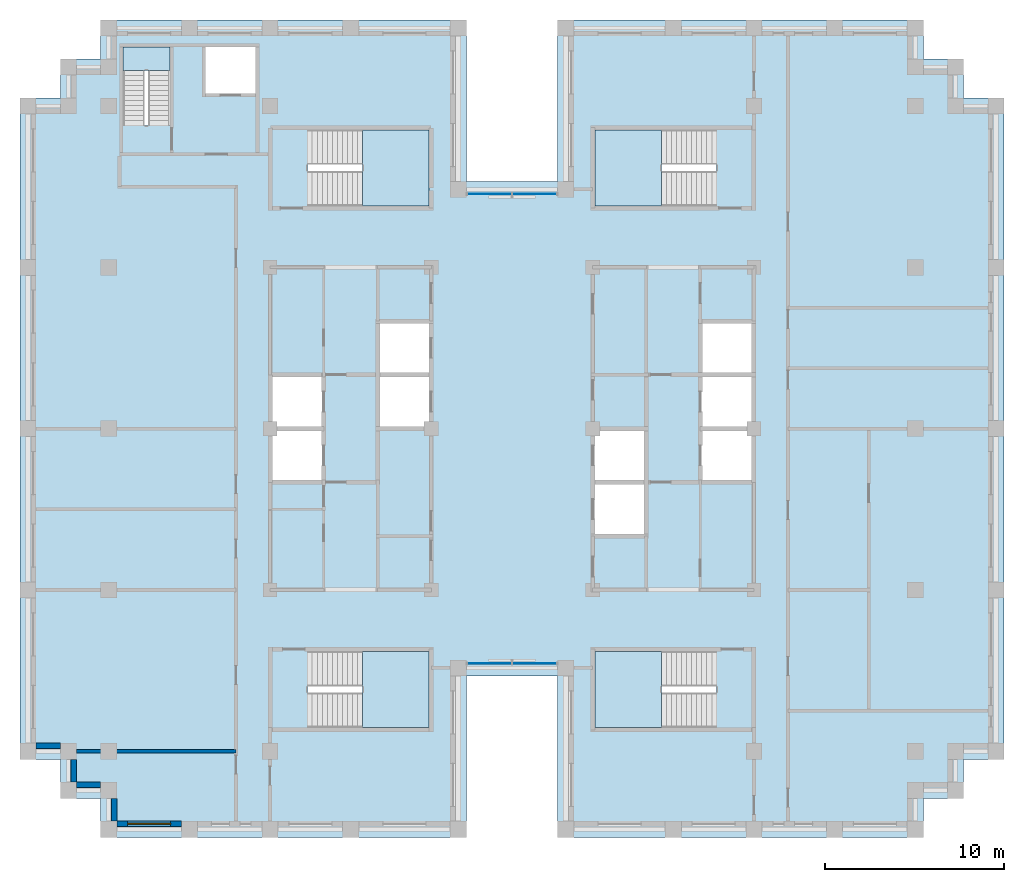
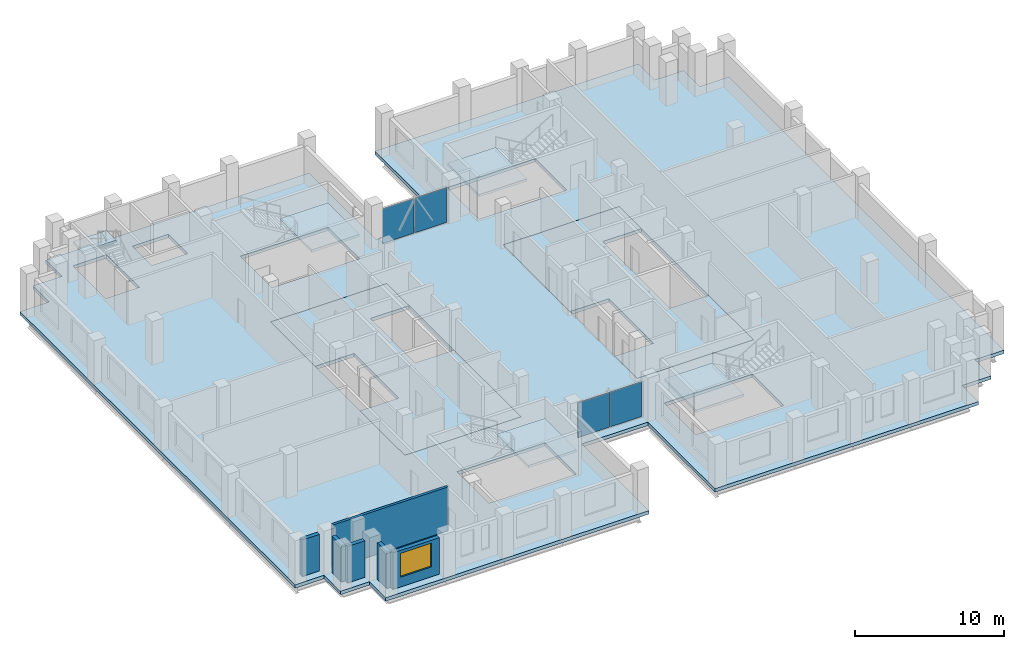
# One storey, part 5 of 13: 8 slabs, 6 walls, 4 plates, 1 window, 1 opening, 7 elements without a shape of their own.
"""IFC4 building model written with IfcOpenShell, lengths in metres."""

from ifc_helpers import new_model, si_unit, direction, frame, frame_2d, origin, origin_2d, place, context, subcontext, project, spatial, polyline, rectangle, outline, extrude, material, layer, layer_set, type_object, element, fill, aggregate, save


model = new_model("IFC4")

# Units and contexts
model_context = context("Model", 3, precision=1e-05, world=origin(), true_north=direction((0.0, 1.0)))
body_context = subcontext(model_context, "Body", "Model", "MODEL_VIEW")
ifc_project = project(units=[si_unit("LENGTHUNIT", "METRE"), si_unit("AREAUNIT", "SQUARE_METRE"), si_unit("VOLUMEUNIT", "CUBIC_METRE"), si_unit("PLANEANGLEUNIT", "RADIAN"), si_unit("MASSUNIT", "GRAM", prefix="KILO")], contexts=[model_context])

# Site, building, storey
site_placement = place(None, origin())
site = spatial("IfcSite", under=ifc_project, at=site_placement, CompositionType="ELEMENT")
building_placement = place(site_placement, origin())
building = spatial("IfcBuilding", under=site, at=building_placement, Name="Corbelhall Arena Tower", CompositionType="ELEMENT")
storey_placement = place(building_placement, frame((0.0, 0.0, 290.0)))
storey = spatial("IfcBuildingStorey", under=building, at=storey_placement, Name="L63", CompositionType="ELEMENT", Elevation=290.0)

# Curtain wall, plates
ifc_material_1 = material(Name="Aluminium black anodised", Category="aluminium")
ifc_layer_1 = layer(ifc_material_1, 0.199951171875)
ifc_layer_set_1 = layer_set([ifc_layer_1], Name="EV-CW1 Slot back wall")
curtain_wall_type = type_object("IfcCurtainWallType", Name="EV-CW1 Slot back wall", PredefinedType="NOTDEFINED", material=ifc_layer_set_1)
curtain_wall_1_placement = place(storey_placement, origin())
curtain_wall_1 = element("IfcCurtainWall", 1, at=curtain_wall_1_placement, inside=storey, type_object=curtain_wall_type, Name="Curtain wall CW1", PredefinedType="NOTDEFINED")
ifc_material_2 = material(Name="Glass dark tinted laminated", Category="glass")
ifc_layer_2 = layer(ifc_material_2, 0.028076171875)
ifc_layer_set_2 = layer_set([ifc_layer_2], Name="EV-CW1-PANEL")
plate_type = type_object("IfcPlateType", Name="EV-CW1-PANEL", PredefinedType="CURTAIN_PANEL", material=ifc_layer_set_2)
plate_1_placement = place(storey_placement, frame((-1.25634765625, -13.10009765625, 0.0751953125), z_axis=(0.0, 0.0, 1.0), x_axis=(1.0, 0.0, 0.0)))
plate_1 = element("IfcPlate", 2, at=plate_1_placement, type_object=plate_type, Name="CW1 panel 1.1", PredefinedType="CURTAIN_PANEL", context=body_context, shape_type="SweptSolid", body=[
    extrude(rectangle(XDim=2.4375, YDim=0.028076171875, at=origin_2d()), origin(), (0.0, 0.0, 1.0), 2.840087890625),
])
plate_2_placement = place(storey_placement, frame((1.25634765625, -13.10009765625, 0.0751953125), z_axis=(0.0, 0.0, 1.0), x_axis=(1.0, 0.0, 0.0)))
plate_2 = element("IfcPlate", 3, at=plate_2_placement, type_object=plate_type, Name="CW1 panel 2.1", PredefinedType="CURTAIN_PANEL", context=body_context, shape_type="SweptSolid", body=[
    extrude(rectangle(XDim=2.4375, YDim=0.028076171875, at=origin_2d()), origin(), (0.0, 0.0, 1.0), 2.840087890625),
])
aggregate(curtain_wall_1, [plate_1, plate_2])

curtain_wall_2_placement = place(storey_placement, origin())
curtain_wall_2 = element("IfcCurtainWall", 4, at=curtain_wall_2_placement, inside=storey, type_object=curtain_wall_type, Name="Curtain wall CW1", PredefinedType="NOTDEFINED")
plate_3_placement = place(storey_placement, frame((1.25634765625, 13.10009765625, 0.0751953125), z_axis=(0.0, 0.0, 1.0), x_axis=(-1.0, 0.0, 0.0)))
plate_3 = element("IfcPlate", 5, at=plate_3_placement, type_object=plate_type, Name="CW1 panel 1.1", PredefinedType="CURTAIN_PANEL", context=body_context, shape_type="SweptSolid", body=[
    extrude(rectangle(XDim=2.4375, YDim=0.028076171875, at=origin_2d()), origin(), (0.0, 0.0, 1.0), 2.840087890625),
])
plate_4_placement = place(storey_placement, frame((-1.25634765625, 13.10009765625, 0.0751953125), z_axis=(0.0, 0.0, 1.0), x_axis=(-1.0, 0.0, 0.0)))
plate_4 = element("IfcPlate", 6, at=plate_4_placement, type_object=plate_type, Name="CW1 panel 2.1", PredefinedType="CURTAIN_PANEL", context=body_context, shape_type="SweptSolid", body=[
    extrude(rectangle(XDim=2.4375, YDim=0.028076171875, at=origin_2d()), origin(), (0.0, 0.0, 1.0), 2.840087890625),
])
aggregate(curtain_wall_2, [plate_3, plate_4])

# Slabs
ifc_material_3 = material(Name="Concrete C40/50", Category="concrete")
ifc_layer_3 = layer(ifc_material_3, 0.300048828125)
ifc_layer_set_3 = layer_set([ifc_layer_3], Name="IN-SL-CORE")
slab_type_1 = type_object("IfcSlabType", Name="IN-SL-CORE", PredefinedType="FLOOR", material=ifc_layer_set_3)
slab_1_placement = place(storey_placement, frame((0.0, 0.0, -0.280029296875)))
element("IfcSlab", 7, at=slab_1_placement, inside=storey, type_object=slab_type_1, Name="Core floor W", PredefinedType="FLOOR", context=body_context, shape_type="SweptSolid", body=[
    extrude(outline(polyline([(-10.5, -3.0), (-13.5, -3.0), (-13.5, -9.0), (-4.5, -9.0), (-4.5, 0.0), (-7.5, 0.0), (-7.5, 3.0), (-7.5, 6.0), (-4.5, 6.0), (-4.5, 9.0), (-13.5, 9.0), (-13.5, 3.0), (-10.5, 3.0), (-10.5, 0.0), (-10.5, -3.0)])), origin(), (0.0, 0.0, 1.0), 0.280029296875),
])
slab_2_placement = place(storey_placement, frame((0.0, 0.0, -0.280029296875)))
element("IfcSlab", 8, at=slab_2_placement, inside=storey, type_object=slab_type_1, Name="Core floor E", PredefinedType="FLOOR", context=body_context, shape_type="SweptSolid", body=[
    extrude(outline(polyline([(13.5, -3.0), (10.5, -3.0), (10.5, 0.0), (10.5, 3.0), (10.5, 6.0), (13.5, 6.0), (13.5, 9.0), (4.5, 9.0), (4.5, 0.0), (7.5, 0.0), (7.5, -3.0), (7.5, -6.0), (4.5, -6.0), (4.5, -9.0), (13.5, -9.0), (13.5, -3.0)])), origin(), (0.0, 0.0, 1.0), 0.280029296875),
])

# Stair, slab
stair_type = type_object("IfcStairType", Name="IN-ST-TOWER", PredefinedType="HALF_TURN_STAIR", material=ifc_material_3)
stair_1_placement = place(storey_placement, origin())
stair_1 = element("IfcStair", 9, at=stair_1_placement, inside=storey, type_object=stair_type, Name="L63 Exit stair ST1", PredefinedType="HALF_TURN_STAIR")
ifc_layer_4 = layer(ifc_material_3, 0.199951171875)
ifc_layer_set_4 = layer_set([ifc_layer_4], Name="IN-SL-LANDING")
slab_type_2 = type_object("IfcSlabType", Name="IN-SL-LANDING", PredefinedType="LANDING", material=ifc_layer_set_4)
slab_3_placement = place(storey_placement, frame((0.0, 0.0, 1.800048828125)))
slab_3 = element("IfcSlab", 10, at=slab_3_placement, type_object=slab_type_2, Name="ST1 landing 1", PredefinedType="LANDING", context=body_context, shape_type="SweptSolid", body=[
    extrude(outline(polyline([(-8.344970703125, 12.425048828125), (-4.625, 12.425048828125), (-4.625, 16.675048828125), (-8.344970703125, 16.675048828125), (-8.344970703125, 12.425048828125)])), origin(), (0.0, 0.0, 1.0), 0.199951171875),
])
aggregate(stair_1, [slab_3])

stair_2_placement = place(storey_placement, origin())
stair_2 = element("IfcStair", 11, at=stair_2_placement, inside=storey, type_object=stair_type, Name="L63 Exit stair ST2", PredefinedType="HALF_TURN_STAIR")
slab_4_placement = place(storey_placement, frame((0.0, 0.0, 1.800048828125)))
slab_4 = element("IfcSlab", 12, at=slab_4_placement, type_object=slab_type_2, Name="ST2 landing 1", PredefinedType="LANDING", context=body_context, shape_type="SweptSolid", body=[
    extrude(outline(polyline([(-8.344970703125, -16.675048828125), (-4.625, -16.675048828125), (-4.625, -12.425048828125), (-8.344970703125, -12.425048828125), (-8.344970703125, -16.675048828125)])), origin(), (0.0, 0.0, 1.0), 0.199951171875),
])
aggregate(stair_2, [slab_4])

stair_3_placement = place(storey_placement, origin())
stair_3 = element("IfcStair", 13, at=stair_3_placement, inside=storey, type_object=stair_type, Name="L63 Exit stair ST3", PredefinedType="HALF_TURN_STAIR")
slab_5_placement = place(storey_placement, frame((0.0, 0.0, 1.800048828125)))
slab_5 = element("IfcSlab", 14, at=slab_5_placement, type_object=slab_type_2, Name="ST3 landing 1", PredefinedType="LANDING", context=body_context, shape_type="SweptSolid", body=[
    extrude(outline(polyline([(8.344970703125, 16.675048828125), (4.625, 16.675048828125), (4.625, 12.425048828125), (8.344970703125, 12.425048828125), (8.344970703125, 16.675048828125)])), origin(), (0.0, 0.0, 1.0), 0.199951171875),
])
aggregate(stair_3, [slab_5])

stair_4_placement = place(storey_placement, origin())
stair_4 = element("IfcStair", 15, at=stair_4_placement, inside=storey, type_object=stair_type, Name="L63 Exit stair ST4", PredefinedType="HALF_TURN_STAIR")
slab_6_placement = place(storey_placement, frame((0.0, 0.0, 1.800048828125)))
slab_6 = element("IfcSlab", 16, at=slab_6_placement, type_object=slab_type_2, Name="ST4 landing 1", PredefinedType="LANDING", context=body_context, shape_type="SweptSolid", body=[
    extrude(outline(polyline([(8.344970703125, -12.425048828125), (4.625, -12.425048828125), (4.625, -16.675048828125), (8.344970703125, -16.675048828125), (8.344970703125, -12.425048828125)])), origin(), (0.0, 0.0, 1.0), 0.199951171875),
])
aggregate(stair_4, [slab_6])

stair_5_placement = place(storey_placement, origin())
stair_5 = element("IfcStair", 17, at=stair_5_placement, inside=storey, type_object=stair_type, Name="L63 Exit stair ST5", PredefinedType="HALF_TURN_STAIR")
slab_7_placement = place(storey_placement, frame((0.0, 0.0, 1.800048828125)))
slab_7 = element("IfcSlab", 18, at=slab_7_placement, type_object=slab_type_2, Name="ST5 landing 1", PredefinedType="LANDING", context=body_context, shape_type="SweptSolid", body=[
    extrude(outline(polyline([(-19.094970703125, 19.97998046875), (-19.094970703125, 21.300048828125), (-21.695068359375, 21.300048828125), (-21.695068359375, 19.97998046875), (-19.094970703125, 19.97998046875)])), origin(), (0.0, 0.0, 1.0), 0.199951171875),
])
aggregate(stair_5, [slab_7])

# Slab
ifc_layer_5 = layer(ifc_material_3, 0.280029296875)
ifc_layer_set_5 = layer_set([ifc_layer_5], Name="ST-SLAB-FLOOR-280")
slab_type_3 = type_object("IfcSlabType", Name="ST-SLAB-FLOOR-280", PredefinedType="FLOOR", material=ifc_layer_set_5)
slab_8_placement = place(storey_placement, frame((0.0, 0.0, -0.280029296875)))
element("IfcSlab", 19, at=slab_8_placement, inside=storey, type_object=slab_type_3, Name="Floor slab L63 1", PredefinedType="FLOOR", context=body_context, shape_type="SweptSolid", body=[
    extrude(outline(polyline([(22.949951171875, 22.800048828125), (2.550048828125, 22.800048828125), (2.550048828125, 13.800048828125), (-2.550048828125, 13.800048828125), (-2.550048828125, 22.800048828125), (-22.949951171875, 22.800048828125), (-22.949951171875, 20.625), (-25.199951171875, 20.625), (-25.199951171875, 18.449951171875), (-27.449951171875, 18.449951171875), (-27.449951171875, -18.449951171875), (-25.199951171875, -18.449951171875), (-25.199951171875, -20.625), (-22.949951171875, -20.625), (-22.949951171875, -22.800048828125), (-2.550048828125, -22.800048828125), (-2.550048828125, -13.800048828125), (2.550048828125, -13.800048828125), (2.550048828125, -22.800048828125), (22.949951171875, -22.800048828125), (22.949951171875, -20.625), (25.199951171875, -20.625), (25.199951171875, -18.449951171875), (27.449951171875, -18.449951171875), (27.449951171875, 18.449951171875), (25.199951171875, 18.449951171875), (25.199951171875, 20.625), (22.949951171875, 20.625), (22.949951171875, 22.800048828125)]), holes=[polyline([(-13.5, 9.0), (-13.5, -9.0), (-4.5, -9.0), (-4.5, 9.0), (-13.5, 9.0)]), polyline([(4.5, 9.0), (4.5, -9.0), (13.5, -9.0), (13.5, 9.0), (4.5, 9.0)]), polyline([(-4.625, 16.675048828125), (-11.422119140625, 16.675048828125), (-11.422119140625, 12.425048828125), (-4.625, 12.425048828125), (-4.625, 16.675048828125)]), polyline([(-4.625, -16.675048828125), (-4.625, -12.425048828125), (-11.422119140625, -12.425048828125), (-11.422119140625, -16.675048828125), (-4.625, -16.675048828125)]), polyline([(11.422119140625, 16.675048828125), (4.625, 16.675048828125), (4.625, 12.425048828125), (11.422119140625, 12.425048828125), (11.422119140625, 16.675048828125)]), polyline([(11.422119140625, -16.675048828125), (11.422119140625, -12.425048828125), (4.625, -12.425048828125), (4.625, -16.675048828125), (11.422119140625, -16.675048828125)]), polyline([(-21.695068359375, 21.300048828125), (-21.695068359375, 16.903076171875), (-19.094970703125, 16.903076171875), (-19.094970703125, 21.300048828125), (-21.695068359375, 21.300048828125)]), polyline([(-14.300048828125, 21.300048828125), (-17.10009765625, 21.300048828125), (-17.10009765625, 18.699951171875), (-14.300048828125, 18.699951171875), (-14.300048828125, 21.300048828125)])]), origin(), (0.0, 0.0, 1.0), 0.280029296875),
])

# Walls
ifc_material_4 = material(Name="Precast concrete C40/50 with granite facing", Category="masonry")
ifc_layer_6 = layer(ifc_material_4, 0.300048828125)
ifc_layer_set_6 = layer_set([ifc_layer_6], Name="EV-IW1 Infill panel 300")
wall_type_1 = type_object("IfcWallType", Name="EV-IW1 Infill panel 300", PredefinedType="SOLIDWALL", material=ifc_layer_set_6)
wall_1_placement = place(storey_placement, frame((-26.550048828125, -17.699951171875, 0.0), z_axis=(0.0, 0.0, 1.0), x_axis=(1.0, 0.0, 0.0)))
element("IfcWall", 20, at=wall_1_placement, inside=storey, type_object=wall_type_1, Name="Infill panel IW1", PredefinedType="SOLIDWALL", context=body_context, shape_type="SweptSolid", body=[
    extrude(rectangle(XDim=1.35009765625, YDim=0.300048828125, at=frame_2d((0.675048828125, 0.0))), origin(), (0.0, 0.0, 1.0), 2.989990234375),
])
wall_2_placement = place(storey_placement, frame((-24.449951171875, -18.449951171875, 0.0), z_axis=(0.0, 0.0, 1.0), x_axis=(0.0, -1.0, 0.0)))
element("IfcWall", 21, at=wall_2_placement, inside=storey, type_object=wall_type_1, Name="Infill panel IW1", PredefinedType="SOLIDWALL", context=body_context, shape_type="SweptSolid", body=[
    extrude(rectangle(XDim=1.275146484375, YDim=0.300048828125, at=frame_2d((0.6376953125, 0.0))), origin(), (0.0, 0.0, 1.0), 2.989990234375),
])
wall_3_placement = place(storey_placement, frame((-24.300048828125, -19.875, 0.0), z_axis=(0.0, 0.0, 1.0), x_axis=(1.0, 0.0, 0.0)))
element("IfcWall", 22, at=wall_3_placement, inside=storey, type_object=wall_type_1, Name="Infill panel IW1", PredefinedType="SOLIDWALL", context=body_context, shape_type="SweptSolid", body=[
    extrude(rectangle(XDim=1.35009765625, YDim=0.300048828125, at=frame_2d((0.675048828125, 0.0))), origin(), (0.0, 0.0, 1.0), 2.989990234375),
])
wall_4_placement = place(storey_placement, frame((-22.199951171875, -20.625, 0.0), z_axis=(0.0, 0.0, 1.0), x_axis=(0.0, -1.0, 0.0)))
element("IfcWall", 23, at=wall_4_placement, inside=storey, type_object=wall_type_1, Name="Infill panel IW1", PredefinedType="SOLIDWALL", context=body_context, shape_type="SweptSolid", body=[
    extrude(rectangle(XDim=1.27490234375, YDim=0.300048828125, at=frame_2d((0.637451171875, 0.0))), origin(), (0.0, 0.0, 1.0), 2.989990234375),
])

# Wall, opening, window
wall_5_placement = place(storey_placement, frame((-22.050048828125, -22.050048828125, 0.0), z_axis=(0.0, 0.0, 1.0), x_axis=(1.0, 0.0, 0.0)))
wall_5 = element("IfcWall", 24, at=wall_5_placement, inside=storey, type_object=wall_type_1, Name="Infill panel IW1", PredefinedType="SOLIDWALL", context=body_context, shape_type="SweptSolid", body=[
    extrude(rectangle(XDim=3.60009765625, YDim=0.300048828125, at=frame_2d((1.800048828125, 0.0))), origin(), (0.0, 0.0, 1.0), 2.989990234375),
])
opening_placement = place(wall_5_placement, frame((0.60009765625, 0.0, 0.800048828125)))
opening = element("IfcOpeningElement", 25, at=opening_placement, cuts=wall_5, Name="Opening WN1", PredefinedType="OPENING", context=body_context, shape_type="SweptSolid", body=[
    extrude(rectangle(XDim=2.39990234375, YDim=1.949951171875, at=frame_2d((1.199951171875, 0.97509765625))), frame((0.0, 0.14990234375, 0.0), z_axis=(0.0, -1.0, 0.0), x_axis=(1.0, 0.0, 0.0)), (0.0, 0.0, 1.0), 0.300048828125),
])
window_type = type_object("IfcWindowType", Name="EV-WN1 Office window", PartitioningType="SINGLE_PANEL", PredefinedType="WINDOW", material=ifc_material_1)
window_placement = place(opening_placement, origin())
window = element("IfcWindow", 26, at=window_placement, inside=storey, type_object=window_type, Name="Window WN1", OverallHeight=1.949951171875, OverallWidth=2.39990234375, PartitioningType="SINGLE_PANEL", PredefinedType="WINDOW", context=body_context, shape_type="SweptSolid", body=[
    extrude(rectangle(XDim=2.39990234375, YDim=1.949951171875, at=frame_2d((1.199951171875, 0.97509765625))), frame((0.0, 0.030029296875, 0.0), z_axis=(0.0, -1.0, 0.0), x_axis=(1.0, 0.0, 0.0)), (0.0, 0.0, 1.0), 0.06005859375),
])
fill(opening, window)

# Wall
ifc_material_5 = material(Name="Gypsum board on steel stud, acoustic", Category="steel")
ifc_layer_7 = layer(ifc_material_5, 0.199951171875)
ifc_layer_set_7 = layer_set([ifc_layer_7], Name="IN-W-DM200")
wall_type_2 = type_object("IfcWallType", Name="IN-W-DM200", PredefinedType="PARTITIONING", material=ifc_layer_set_7)
wall_6_placement = place(storey_placement, frame((-24.300048828125, -18.0, 0.0), z_axis=(0.0, 0.0, 1.0), x_axis=(1.0, 0.0, 0.0)))
element("IfcWall", 27, at=wall_6_placement, inside=storey, type_object=wall_type_2, Name="Partition 003", PredefinedType="PARTITIONING", context=body_context, shape_type="SweptSolid", body=[
    extrude(rectangle(XDim=8.900146484375, YDim=0.199951171875, at=frame_2d((4.4501953125, 0.0))), origin(), (0.0, 0.0, 1.0), 3.590087890625),
])

save(model, "model.ifc")
